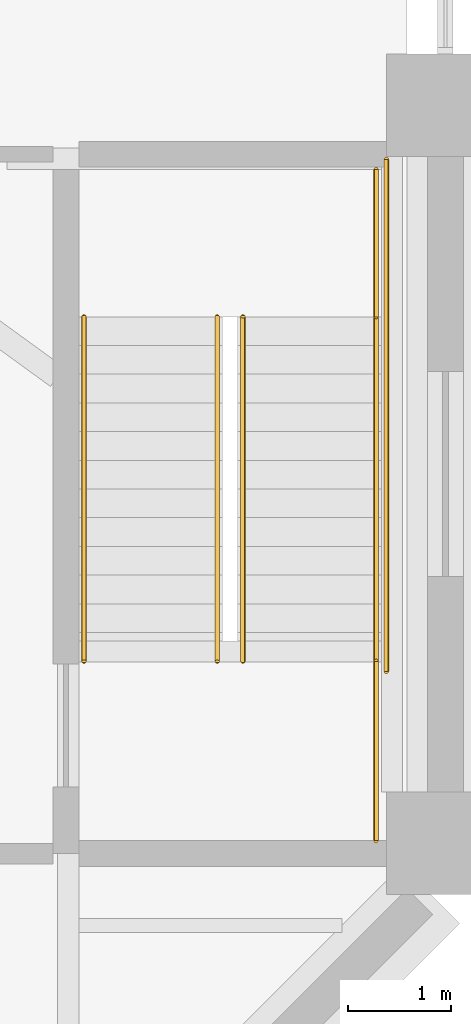
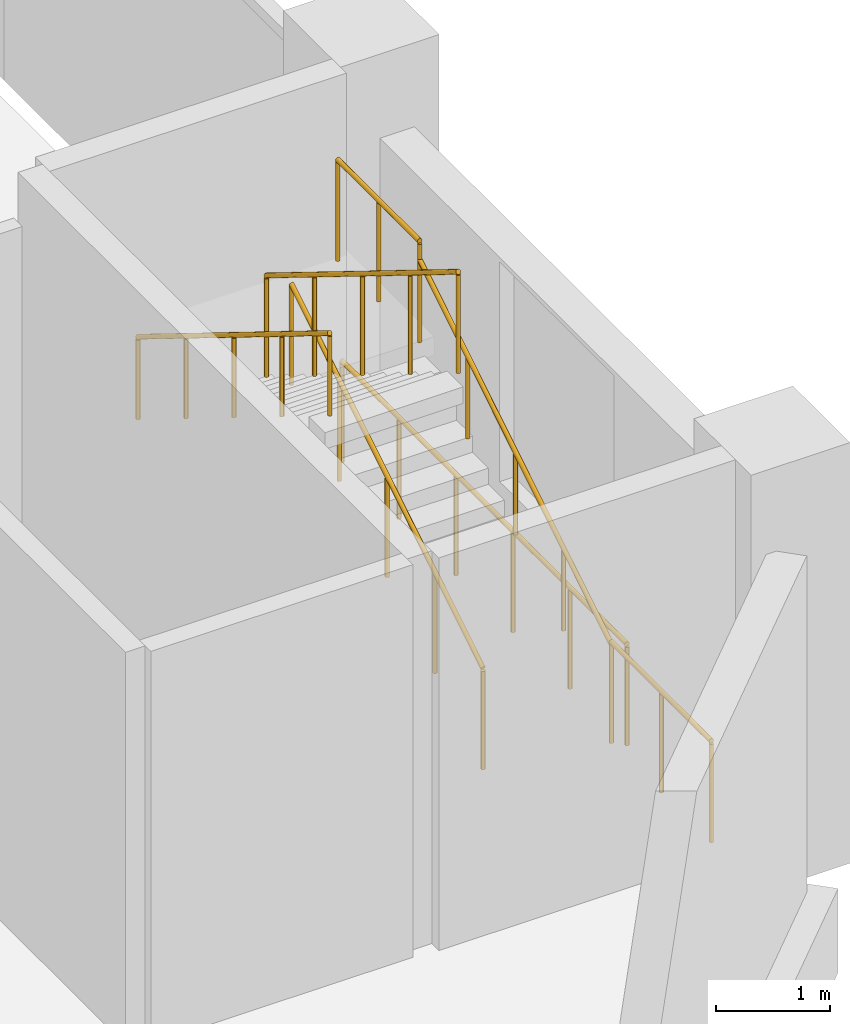
# One storey, part 31 of 33: 7 railings.
"""IFC4 building model written with IfcOpenShell, lengths in metres."""

from ifc_helpers import new_model, si_unit, direction, frame, origin, origin_2d, place, context, subcontext, project, spatial, circle, extrude, material, type_object, element, save


model = new_model("IFC4")

# Units and contexts
model_context = context("Model", 3, precision=1e-05, world=origin(), true_north=direction((0.0, 1.0)))
body_context = subcontext(model_context, "Body", "Model", "MODEL_VIEW")
ifc_project = project(units=[si_unit("LENGTHUNIT", "METRE"), si_unit("AREAUNIT", "SQUARE_METRE"), si_unit("VOLUMEUNIT", "CUBIC_METRE"), si_unit("PLANEANGLEUNIT", "RADIAN"), si_unit("MASSUNIT", "GRAM", prefix="KILO")], contexts=[model_context])

# Site, building, storey
site_placement = place(None, origin())
site = spatial("IfcSite", under=ifc_project, at=site_placement, CompositionType="ELEMENT")
building_placement = place(site_placement, origin())
building = spatial("IfcBuilding", under=site, at=building_placement, Name="Isthmus Gate Tower", CompositionType="ELEMENT")
storey_placement = place(building_placement, frame((0.0, 0.0, 22.5)))
storey = spatial("IfcBuildingStorey", under=building, at=storey_placement, Name="L03", CompositionType="ELEMENT", Elevation=22.5)

# Railings
ifc_material_1 = material(Name="Painted steel balusters with timber handrail", Category="steel")
railing_type_1 = type_object("IfcRailingType", Name="Podium stair guard 1100", PredefinedType="GUARDRAIL", material=ifc_material_1)
railing_1_placement = place(storey_placement, frame((49.60009765625, -32.72509765625, 0.173095703125)))
element("IfcRailing", 1, at=railing_1_placement, inside=storey, type_object=railing_type_1, Name="L03 ST4 stair guard 1", PredefinedType="GUARDRAIL", context=body_context, shape_type="SweptSolid", body=[
    extrude(circle(Radius=0.02392578125, at=origin_2d()), frame((0.0, 0.0, 1.076171875), z_axis=(0.0, 0.850623216509, 0.525775754039), x_axis=(-1.0, 0.0, 0.0)), (0.0, 0.0, 1.0), 3.9501953125),
    extrude(circle(Radius=0.02099609375, at=origin_2d()), origin(), (0.0, 0.0, 1.0), 1.052001953125),
    extrude(circle(Radius=0.02099609375, at=origin_2d()), frame((0.0, 0.840087890625, 0.519287109375)), (0.0, 0.0, 1.0), 1.052001953125),
    extrude(circle(Radius=0.02099609375, at=origin_2d()), frame((0.0, 1.68017578125, 1.03857421875)), (0.0, 0.0, 1.0), 1.052001953125),
    extrude(circle(Radius=0.02099609375, at=origin_2d()), frame((0.0, 2.52001953125, 1.5576171875)), (0.0, 0.0, 1.0), 1.052001953125),
    extrude(circle(Radius=0.02099609375, at=origin_2d()), frame((0.0, 3.360107421875, 2.076904296875)), (0.0, 0.0, 1.0), 1.052001953125),
])
railing_2_placement = place(storey_placement, frame((50.89990234375, -29.364990234375, 2.25)))
element("IfcRailing", 2, at=railing_2_placement, inside=storey, type_object=railing_type_1, Name="L03 ST4 stair guard 2", PredefinedType="GUARDRAIL", context=body_context, shape_type="SweptSolid", body=[
    extrude(circle(Radius=0.02392578125, at=origin_2d()), frame((0.0, 0.0, 1.076171875), z_axis=(0.0, 1.0, 0.0), x_axis=(-1.0, 0.0, 0.0)), (0.0, 0.0, 1.0), 1.43603515625),
    extrude(circle(Radius=0.02099609375, at=origin_2d()), origin(), (0.0, 0.0, 1.0), 1.052001953125),
    extrude(circle(Radius=0.02099609375, at=origin_2d()), frame((0.0, 0.718017578125, 0.0)), (0.0, 0.0, 1.0), 1.052001953125),
    extrude(circle(Radius=0.02099609375, at=origin_2d()), frame((0.0, 1.43603515625, 0.0)), (0.0, 0.0, 1.0), 1.052001953125),
])
railing_3_placement = place(storey_placement, frame((49.35009765625, -29.364990234375, 2.423095703125)))
element("IfcRailing", 3, at=railing_3_placement, inside=storey, type_object=railing_type_1, Name="L03 ST4 stair guard 3", PredefinedType="GUARDRAIL", context=body_context, shape_type="SweptSolid", body=[
    extrude(circle(Radius=0.02392578125, at=origin_2d()), frame((0.0, 0.0, 1.076171875), z_axis=(0.0, -0.850623216509, 0.525775754039), x_axis=(1.0, 0.0, 0.0)), (0.0, 0.0, 1.0), 3.9501953125),
    extrude(circle(Radius=0.02099609375, at=origin_2d()), origin(), (0.0, 0.0, 1.0), 1.052001953125),
    extrude(circle(Radius=0.02099609375, at=origin_2d()), frame((0.0, -0.840087890625, 0.519287109375)), (0.0, 0.0, 1.0), 1.052001953125),
    extrude(circle(Radius=0.02099609375, at=origin_2d()), frame((0.0, -1.68017578125, 1.03857421875)), (0.0, 0.0, 1.0), 1.052001953125),
    extrude(circle(Radius=0.02099609375, at=origin_2d()), frame((0.0, -2.52001953125, 1.5576171875)), (0.0, 0.0, 1.0), 1.052001953125),
    extrude(circle(Radius=0.02099609375, at=origin_2d()), frame((0.0, -3.360107421875, 2.076904296875)), (0.0, 0.0, 1.0), 1.052001953125),
])
railing_4_placement = place(storey_placement, frame((50.89990234375, -34.47509765625, 0.0)))
element("IfcRailing", 4, at=railing_4_placement, inside=storey, type_object=railing_type_1, Name="L03 ST4 stair guard 4", PredefinedType="GUARDRAIL", context=body_context, shape_type="SweptSolid", body=[
    extrude(circle(Radius=0.02392578125, at=origin_2d()), frame((0.0, 0.0, 1.076171875), z_axis=(0.0, 1.0, 0.0), x_axis=(-1.0, 0.0, 0.0)), (0.0, 0.0, 1.0), 1.75),
    extrude(circle(Radius=0.02099609375, at=origin_2d()), origin(), (0.0, 0.0, 1.0), 1.052001953125),
    extrude(circle(Radius=0.02099609375, at=origin_2d()), frame((0.0, 0.875, 0.0)), (0.0, 0.0, 1.0), 1.052001953125),
    extrude(circle(Radius=0.02099609375, at=origin_2d()), frame((0.0, 1.75, 0.0)), (0.0, 0.0, 1.0), 1.052001953125),
])
railing_5_placement = place(storey_placement, frame((51.0, -32.824951171875, 0.0)))
element("IfcRailing", 5, at=railing_5_placement, inside=storey, type_object=railing_type_1, Name="L03 ST4 stair guard 5", PredefinedType="GUARDRAIL", context=body_context, shape_type="SweptSolid", body=[
    extrude(circle(Radius=0.02392578125, at=origin_2d()), frame((0.0, 0.0, 1.076171875), z_axis=(0.0, 1.0, 0.0), x_axis=(-1.0, 0.0, 0.0)), (0.0, 0.0, 1.0), 4.995849609375),
    extrude(circle(Radius=0.02099609375, at=origin_2d()), origin(), (0.0, 0.0, 1.0), 1.052001953125),
    extrude(circle(Radius=0.02099609375, at=origin_2d()), frame((0.0, 0.999267578125, 0.0)), (0.0, 0.0, 1.0), 1.052001953125),
    extrude(circle(Radius=0.02099609375, at=origin_2d()), frame((0.0, 1.998291015625, 0.0)), (0.0, 0.0, 1.0), 1.052001953125),
    extrude(circle(Radius=0.02099609375, at=origin_2d()), frame((0.0, 2.99755859375, 0.0)), (0.0, 0.0, 1.0), 1.052001953125),
    extrude(circle(Radius=0.02099609375, at=origin_2d()), frame((0.0, 3.99658203125, 0.0)), (0.0, 0.0, 1.0), 1.052001953125),
    extrude(circle(Radius=0.02099609375, at=origin_2d()), frame((0.0, 4.995849609375, 0.0)), (0.0, 0.0, 1.0), 1.052001953125),
])
ifc_material_2 = material(Name="Stainless steel tube", Category="steel")
railing_type_2 = type_object("IfcRailingType", Name="Podium stair handrail 900", PredefinedType="HANDRAIL", material=ifc_material_2)
railing_6_placement = place(storey_placement, frame((50.89990234375, -32.72509765625, 0.173095703125)))
element("IfcRailing", 6, at=railing_6_placement, inside=storey, type_object=railing_type_2, Name="L03 ST4 stair handrail 1", PredefinedType="HANDRAIL", context=body_context, shape_type="SweptSolid", body=[
    extrude(circle(Radius=0.02392578125, at=origin_2d()), frame((0.0, 0.0, 0.8759765625), z_axis=(0.0, 0.850623216509, 0.525775754039), x_axis=(-1.0, 0.0, 0.0)), (0.0, 0.0, 1.0), 3.9501953125),
    extrude(circle(Radius=0.02099609375, at=origin_2d()), origin(), (0.0, 0.0, 1.0), 0.851806640625),
    extrude(circle(Radius=0.02099609375, at=origin_2d()), frame((0.0, 0.840087890625, 0.519287109375)), (0.0, 0.0, 1.0), 0.851806640625),
    extrude(circle(Radius=0.02099609375, at=origin_2d()), frame((0.0, 1.68017578125, 1.03857421875)), (0.0, 0.0, 1.0), 0.851806640625),
    extrude(circle(Radius=0.02099609375, at=origin_2d()), frame((0.0, 2.52001953125, 1.5576171875)), (0.0, 0.0, 1.0), 0.851806640625),
    extrude(circle(Radius=0.02099609375, at=origin_2d()), frame((0.0, 3.360107421875, 2.076904296875)), (0.0, 0.0, 1.0), 0.851806640625),
])
railing_7_placement = place(storey_placement, frame((48.050048828125, -29.364990234375, 2.423095703125)))
element("IfcRailing", 7, at=railing_7_placement, inside=storey, type_object=railing_type_2, Name="L03 ST4 stair handrail 2", PredefinedType="HANDRAIL", context=body_context, shape_type="SweptSolid", body=[
    extrude(circle(Radius=0.02392578125, at=origin_2d()), frame((0.0, 0.0, 0.8759765625), z_axis=(0.0, -0.850623216509, 0.525775754039), x_axis=(1.0, 0.0, 0.0)), (0.0, 0.0, 1.0), 3.9501953125),
    extrude(circle(Radius=0.02099609375, at=origin_2d()), origin(), (0.0, 0.0, 1.0), 0.851806640625),
    extrude(circle(Radius=0.02099609375, at=origin_2d()), frame((0.0, -0.840087890625, 0.519287109375)), (0.0, 0.0, 1.0), 0.851806640625),
    extrude(circle(Radius=0.02099609375, at=origin_2d()), frame((0.0, -1.68017578125, 1.03857421875)), (0.0, 0.0, 1.0), 0.851806640625),
    extrude(circle(Radius=0.02099609375, at=origin_2d()), frame((0.0, -2.52001953125, 1.5576171875)), (0.0, 0.0, 1.0), 0.851806640625),
    extrude(circle(Radius=0.02099609375, at=origin_2d()), frame((0.0, -3.360107421875, 2.076904296875)), (0.0, 0.0, 1.0), 0.851806640625),
])

save(model, "model.ifc")
